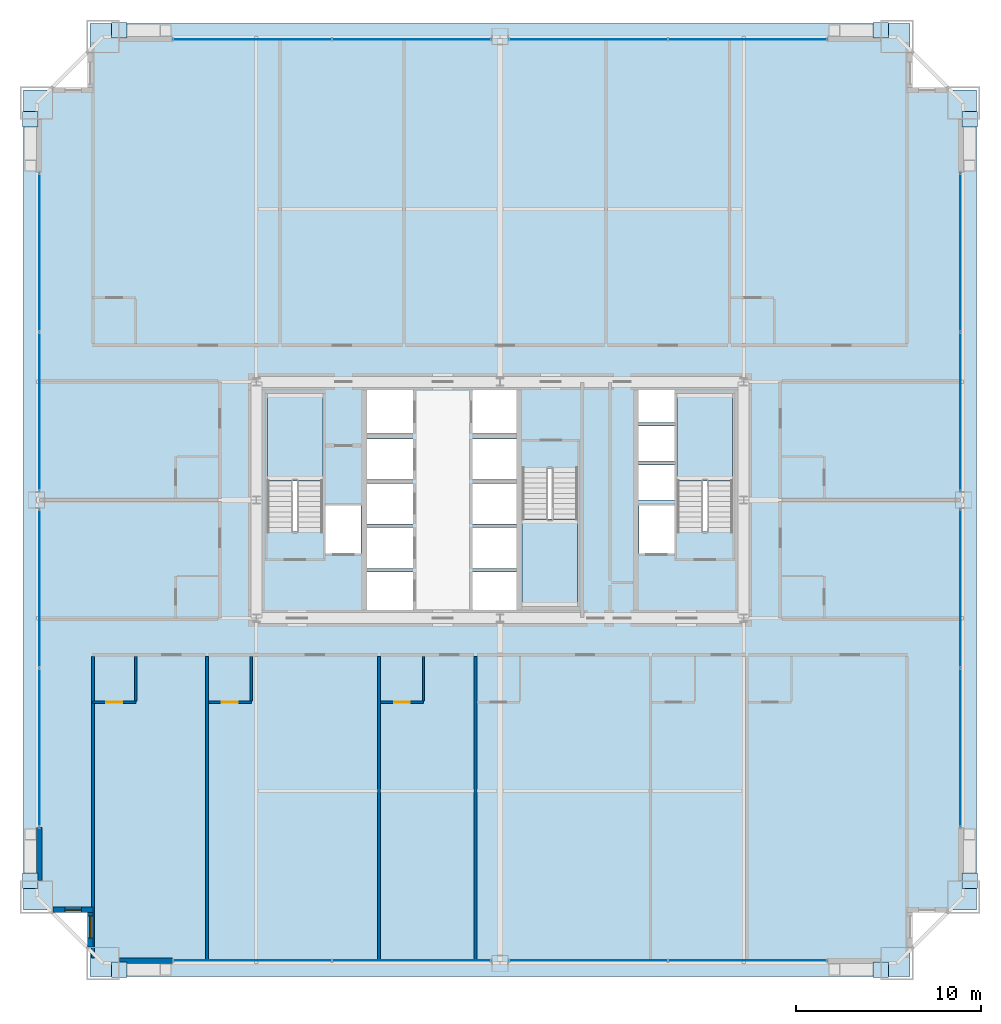
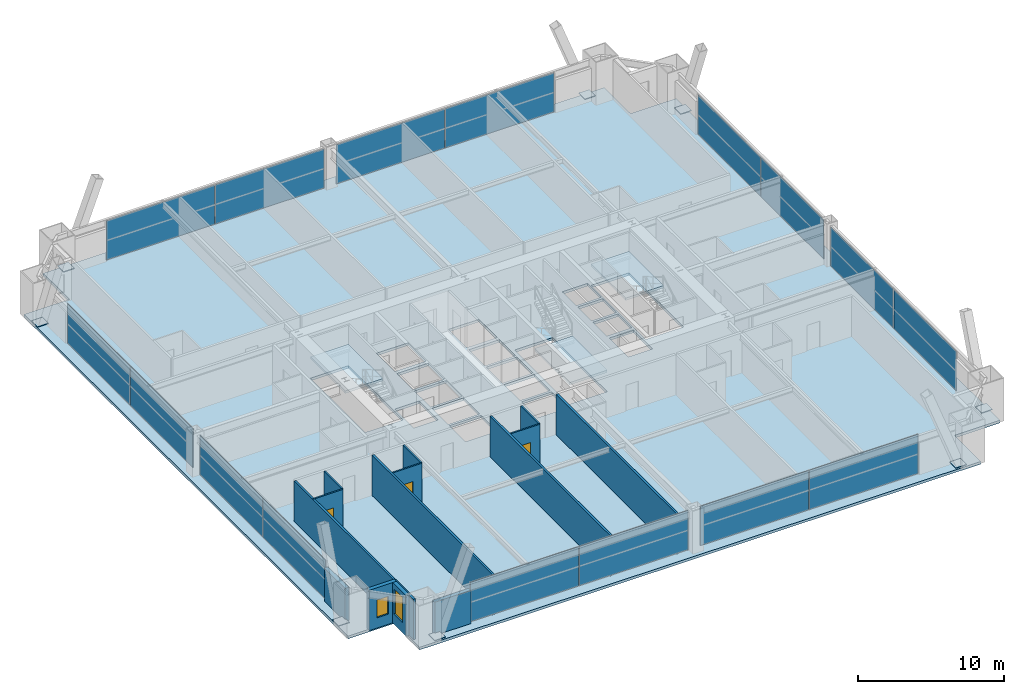
# One storey, part 38 of 43: 24 plates, 14 walls, 4 slabs, 3 doors, 2 windows, 5 openings, 11 elements without a shape of their own.
"""IFC4 building model written with IfcOpenShell, lengths in metres."""

from ifc_helpers import new_model, si_unit, direction, frame, frame_2d, origin, origin_2d, place, context, subcontext, project, spatial, polyline, rectangle, outline, extrude, source, transform, mapped, material, layer, layer_set, type_object, element, fill, aggregate, save


model = new_model("IFC4")

# Units and contexts
model_context = context("Model", 3, precision=1e-05, world=origin(), true_north=direction((0.0, 1.0)))
body_context = subcontext(model_context, "Body", "Model", "MODEL_VIEW")
ifc_project = project(units=[si_unit("LENGTHUNIT", "METRE"), si_unit("AREAUNIT", "SQUARE_METRE"), si_unit("VOLUMEUNIT", "CUBIC_METRE"), si_unit("PLANEANGLEUNIT", "RADIAN"), si_unit("MASSUNIT", "GRAM", prefix="KILO"), si_unit("THERMODYNAMICTEMPERATUREUNIT", "KELVIN"), si_unit("POWERUNIT", "WATT")], contexts=[model_context])

# Site, building, storey
site_placement = place(None, origin())
site = spatial("IfcSite", under=ifc_project, at=site_placement, CompositionType="ELEMENT")
building_placement = place(site_placement, origin())
building = spatial("IfcBuilding", under=site, at=building_placement, Name="Yuzanri Waterfront Tower", CompositionType="ELEMENT")
storey_placement = place(building_placement, frame((0.0, 0.0, 60.39990234375)))
storey = spatial("IfcBuildingStorey", under=building, at=storey_placement, Name="L15", CompositionType="ELEMENT", Elevation=60.39990234375)

# Stair, slab
ifc_material_1 = material(Name="Concrete C40", Category="concrete")
stair_type = type_object("IfcStairType", Name="Concrete C40 Core Dogleg Exit Stair", PredefinedType="HALF_TURN_STAIR", material=ifc_material_1)
stair_1_placement = place(storey_placement, origin())
stair_1 = element("IfcStair", 1, at=stair_1_placement, inside=storey, type_object=stair_type, Name="L15 Smoke-Proof Core Stair ST-01", PredefinedType="HALF_TURN_STAIR")
ifc_material_2 = material(Name="Concrete C40", Category="concrete")
ifc_layer_1 = layer(ifc_material_2, 0.179931640625)
ifc_layer_set_1 = layer_set([ifc_layer_1], Name="Concrete C40")
slab_type_1 = type_object("IfcSlabType", Name="Concrete C40 Stair Half-Landing Slab 180", PredefinedType="LANDING", material=ifc_layer_set_1)
slab_1_placement = place(storey_placement, frame((0.0, 0.0, 1.60009765625)))
slab_1 = element("IfcSlab", 2, at=slab_1_placement, type_object=slab_type_1, Name="ST-01 landing 1", PredefinedType="LANDING", context=body_context, shape_type="SweptSolid", body=[
    extrude(outline(polyline([(27.39990234375, 26.840087890625), (27.39990234375, 31.580078125), (24.39990234375, 31.580078125), (24.39990234375, 26.840087890625), (27.39990234375, 26.840087890625)])), origin(), (0.0, 0.0, 1.0), 0.199951171875),
])
aggregate(stair_1, [slab_1])

stair_2_placement = place(storey_placement, origin())
stair_2 = element("IfcStair", 3, at=stair_2_placement, inside=storey, type_object=stair_type, Name="L15 Smoke-Proof Core Stair ST-02", PredefinedType="HALF_TURN_STAIR")
slab_2_placement = place(storey_placement, frame((0.0, 0.0, 1.60009765625)))
slab_2 = element("IfcSlab", 4, at=slab_2_placement, type_object=slab_type_1, Name="ST-02 landing 1", PredefinedType="LANDING", context=body_context, shape_type="SweptSolid", body=[
    extrude(outline(polyline([(49.60009765625, 26.840087890625), (49.60009765625, 31.580078125), (46.60009765625, 31.580078125), (46.60009765625, 26.840087890625), (49.60009765625, 26.840087890625)])), origin(), (0.0, 0.0, 1.0), 0.199951171875),
])
aggregate(stair_2, [slab_2])

stair_3_placement = place(storey_placement, origin())
stair_3 = element("IfcStair", 5, at=stair_3_placement, inside=storey, type_object=stair_type, Name="L15 Smoke-Proof Core Stair ST-03", PredefinedType="HALF_TURN_STAIR")
slab_3_placement = place(storey_placement, frame((0.0, 0.0, 1.60009765625)))
slab_3 = element("IfcSlab", 6, at=slab_3_placement, type_object=slab_type_1, Name="ST-03 landing 1", PredefinedType="LANDING", context=body_context, shape_type="SweptSolid", body=[
    extrude(outline(polyline([(38.199951171875, 24.760009765625), (38.199951171875, 20.02001953125), (41.199951171875, 20.02001953125), (41.199951171875, 24.760009765625), (38.199951171875, 24.760009765625)])), origin(), (0.0, 0.0, 1.0), 0.199951171875),
])
aggregate(stair_3, [slab_3])

# Slab
ifc_material_3 = material(Name="Concrete C40", Category="concrete")
ifc_layer_2 = layer(ifc_material_3, 0.219970703125)
ifc_layer_set_2 = layer_set([ifc_layer_2], Name="Concrete C40")
slab_type_2 = type_object("IfcSlabType", Name="Concrete C40 Tower Typical Structural Floor Slab 220", PredefinedType="FLOOR", material=ifc_layer_set_2)
slab_4_placement = place(storey_placement, frame((0.0, 0.0, -0.219970703125)))
element("IfcSlab", 7, at=slab_4_placement, inside=storey, type_object=slab_type_2, Name="L15 Main Structural Floor Slab", PredefinedType="FLOOR", context=body_context, shape_type="SweptSolid", body=[
    extrude(outline(polyline([(14.800048828125, 0.0), (59.199951171875, 0.0), (59.199951171875, 3.60009765625), (62.800048828125, 3.60009765625), (62.800048828125, 48.0), (59.199951171875, 48.0), (59.199951171875, 51.60009765625), (14.800048828125, 51.60009765625), (14.800048828125, 48.0), (11.199951171875, 48.0), (11.199951171875, 3.60009765625), (14.800048828125, 3.60009765625), (14.800048828125, 0.0)]), holes=[polyline([(27.39990234375, 24.10009765625), (27.39990234375, 31.580078125), (24.39990234375, 31.580078125), (24.39990234375, 24.10009765625), (27.39990234375, 24.10009765625)]), polyline([(49.60009765625, 24.10009765625), (49.60009765625, 31.580078125), (46.60009765625, 31.580078125), (46.60009765625, 24.10009765625), (49.60009765625, 24.10009765625)]), polyline([(38.199951171875, 27.5), (38.199951171875, 20.02001953125), (41.199951171875, 20.02001953125), (41.199951171875, 27.5), (38.199951171875, 27.5)]), polyline([(27.56005859375, 22.89990234375), (29.47998046875, 22.89990234375), (29.47998046875, 25.5), (27.56005859375, 25.5), (27.56005859375, 22.89990234375)]), polyline([(44.52001953125, 22.89990234375), (46.43994140625, 22.89990234375), (46.43994140625, 25.5), (44.52001953125, 25.5), (44.52001953125, 22.89990234375)]), polyline([(29.800048828125, 19.699951171875), (32.300048828125, 19.699951171875), (32.300048828125, 21.89990234375), (29.800048828125, 21.89990234375), (29.800048828125, 19.699951171875)]), polyline([(29.800048828125, 22.10009765625), (32.300048828125, 22.10009765625), (32.300048828125, 24.300048828125), (29.800048828125, 24.300048828125), (29.800048828125, 22.10009765625)]), polyline([(29.800048828125, 24.5), (32.300048828125, 24.5), (32.300048828125, 26.699951171875), (29.800048828125, 26.699951171875), (29.800048828125, 24.5)]), polyline([(29.800048828125, 26.89990234375), (32.300048828125, 26.89990234375), (32.300048828125, 29.10009765625), (29.800048828125, 29.10009765625), (29.800048828125, 26.89990234375)]), polyline([(29.800048828125, 29.39990234375), (32.300048828125, 29.39990234375), (32.300048828125, 31.89990234375), (29.800048828125, 31.89990234375), (29.800048828125, 29.39990234375)]), polyline([(35.5, 19.699951171875), (37.89990234375, 19.699951171875), (37.89990234375, 21.89990234375), (35.5, 21.89990234375), (35.5, 19.699951171875)]), polyline([(35.5, 22.10009765625), (37.89990234375, 22.10009765625), (37.89990234375, 24.300048828125), (35.5, 24.300048828125), (35.5, 22.10009765625)]), polyline([(35.5, 24.5), (37.89990234375, 24.5), (37.89990234375, 26.699951171875), (35.5, 26.699951171875), (35.5, 24.5)]), polyline([(35.5, 26.89990234375), (37.89990234375, 26.89990234375), (37.89990234375, 29.10009765625), (35.5, 29.10009765625), (35.5, 26.89990234375)]), polyline([(35.5, 29.39990234375), (37.89990234375, 29.39990234375), (37.89990234375, 31.89990234375), (35.5, 31.89990234375), (35.5, 29.39990234375)]), polyline([(44.5, 25.800048828125), (46.5, 25.800048828125), (46.5, 27.699951171875), (44.5, 27.699951171875), (44.5, 25.800048828125)]), polyline([(44.5, 27.89990234375), (46.5, 27.89990234375), (46.5, 29.800048828125), (44.5, 29.800048828125), (44.5, 27.89990234375)]), polyline([(44.5, 30.0), (46.5, 30.0), (46.5, 31.89990234375), (44.5, 31.89990234375), (44.5, 30.0)])]), origin(), (0.0, 0.0, 1.0), 0.219970703125),
])

# Plates
ifc_material_4 = material(Name="Steel Q420GJC", Category="steel")
ifc_layer_3 = layer(ifc_material_4, 0.0400390625)
ifc_layer_set_3 = layer_set([ifc_layer_3], Name="Steel Q420GJC")
plate_type_1 = type_object("IfcPlateType", Name="Steel Q420GJC Mega-Brace Gusset and End-Cap Plate 40", PredefinedType="SHEET", material=ifc_layer_set_3)
shared_shape_1 = source(origin(), body_context, "Body", "SweptSolid", [
    extrude(rectangle(XDim=0.85009765625, YDim=0.85009765625, at=origin_2d()), origin(), (0.0, 0.0, 1.0), 0.0400390625),
])
for number, where, z_axis, x_axis, name in (
    (8, (16.3798828125, 0.360107421875, 0.16015625), (0.0, 0.0, 1.0), (1.0, 0.0, 0.0), "L15 Mega-Brace Foot Cap Plate S-L"),
    (9, (57.6201171875, 0.360107421875, 0.16015625), (0.0, 0.0, 1.0), (1.0, 0.0, 0.0), "L15 Mega-Brace Foot Cap Plate S-R"),
    (10, (16.3798828125, 51.239990234375, 0.16015625), (0.0, 0.0, 1.0), (1.0, 0.0, 0.0), "L15 Mega-Brace Foot Cap Plate N-L"),
    (11, (57.6201171875, 51.239990234375, 0.16015625), (0.0, 0.0, 1.0), (1.0, 0.0, 0.0), "L15 Mega-Brace Foot Cap Plate N-R"),
    (12, (11.56005859375, 5.179931640625, 0.16015625), (0.0, 0.0, 1.0), (1.0, 0.0, 0.0), "L15 Mega-Brace Foot Cap Plate W-L"),
    (13, (11.56005859375, 46.419921875, 0.16015625), (0.0, 0.0, 1.0), (1.0, 0.0, 0.0), "L15 Mega-Brace Foot Cap Plate W-R"),
    (14, (62.43994140625, 5.179931640625, 0.16015625), (0.0, 0.0, 1.0), (1.0, 0.0, 0.0), "L15 Mega-Brace Foot Cap Plate E-L"),
    (15, (62.43994140625, 46.419921875, 0.16015625), (0.0, 0.0, 1.0), (1.0, 0.0, 0.0), "L15 Mega-Brace Foot Cap Plate E-R"),
):
    element("IfcPlate", number, at=place(storey_placement, frame(where, z_axis=z_axis, x_axis=x_axis)), inside=storey, type_object=plate_type_1, Name=name, PredefinedType="SHEET", context=body_context, shape_type="MappedRepresentation", body=[
        mapped(shared_shape_1, transform((0.0, 0.0, 0.0), scale=1.0)),
    ])

# Curtain wall, plates
ifc_material_5 = material(Name="Anodized Architectural Bronze", Category="metal")
ifc_layer_4 = layer(ifc_material_5, 0.159912109375)
ifc_layer_set_4 = layer_set([ifc_layer_4], Name="Anodized Architectural Bronze")
curtain_wall_type = type_object("IfcCurtainWallType", Name="Anodized Bronze Hotel Lower-Tier Recessed Unitized Curtain Wall 8100", PredefinedType="NOTDEFINED", material=ifc_layer_set_4)
curtain_wall_1_placement = place(storey_placement, origin())
curtain_wall_1 = element("IfcCurtainWall", 16, at=curtain_wall_1_placement, inside=storey, type_object=curtain_wall_type, Name="L15 Curtain Wall CW-L15-SL", PredefinedType="NOTDEFINED")
ifc_material_6 = material(Name="Double-Silver Low-E Insulated Glass", Category="glass")
ifc_layer_5 = layer(ifc_material_6, 0.035888671875)
ifc_layer_set_5 = layer_set([ifc_layer_5], Name="Double-Silver Low-E Insulated Glass")
plate_type_2 = type_object("IfcPlateType", Name="Double Silver Low-E Insulated Vision Glass Panel 36", PredefinedType="CURTAIN_PANEL", material=ifc_layer_set_5)
shared_shape_2 = source(origin(), body_context, "Body", "SweptSolid", [
    extrude(rectangle(XDim=8.570068359375, YDim=0.035888671875, at=origin_2d()), origin(), (0.0, 0.0, 1.0), 3.280029296875),
])
plate_1_placement = place(storey_placement, frame((23.574951171875, 0.85009765625, 0.05029296875), z_axis=(0.0, 0.0, 1.0), x_axis=(1.0, 0.0, 0.0)))
plate_1 = element("IfcPlate", 17, at=plate_1_placement, type_object=plate_type_2, Name="CW-L15-SL Vision Glass Panel 01", PredefinedType="CURTAIN_PANEL", context=body_context, shape_type="MappedRepresentation", body=[
    mapped(shared_shape_2, transform((0.0, 0.0, 0.0), scale=1.0)),
])
plate_2_placement = place(storey_placement, frame((32.22509765625, 0.85009765625, 0.05029296875), z_axis=(0.0, 0.0, 1.0), x_axis=(1.0, 0.0, 0.0)))
plate_2 = element("IfcPlate", 18, at=plate_2_placement, type_object=plate_type_2, Name="CW-L15-SL Vision Glass Panel 02", PredefinedType="CURTAIN_PANEL", context=body_context, shape_type="MappedRepresentation", body=[
    mapped(shared_shape_2, transform((0.0, 0.0, 0.0), scale=1.0)),
])
aggregate(curtain_wall_1, [plate_1, plate_2])

curtain_wall_2_placement = place(storey_placement, origin())
curtain_wall_2 = element("IfcCurtainWall", 19, at=curtain_wall_2_placement, inside=storey, type_object=curtain_wall_type, Name="L15 Curtain Wall CW-L15-SR", PredefinedType="NOTDEFINED")
plate_3_placement = place(storey_placement, frame((41.77490234375, 0.85009765625, 0.05029296875), z_axis=(0.0, 0.0, 1.0), x_axis=(1.0, 0.0, 0.0)))
plate_3 = element("IfcPlate", 20, at=plate_3_placement, type_object=plate_type_2, Name="CW-L15-SR Vision Glass Panel 01", PredefinedType="CURTAIN_PANEL", context=body_context, shape_type="MappedRepresentation", body=[
    mapped(shared_shape_2, transform((0.0, 0.0, 0.0), scale=1.0)),
])
plate_4_placement = place(storey_placement, frame((50.425048828125, 0.85009765625, 0.05029296875), z_axis=(0.0, 0.0, 1.0), x_axis=(1.0, 0.0, 0.0)))
plate_4 = element("IfcPlate", 21, at=plate_4_placement, type_object=plate_type_2, Name="CW-L15-SR Vision Glass Panel 02", PredefinedType="CURTAIN_PANEL", context=body_context, shape_type="MappedRepresentation", body=[
    mapped(shared_shape_2, transform((0.0, 0.0, 0.0), scale=1.0)),
])
aggregate(curtain_wall_2, [plate_3, plate_4])

curtain_wall_3_placement = place(storey_placement, origin())
curtain_wall_3 = element("IfcCurtainWall", 22, at=curtain_wall_3_placement, inside=storey, type_object=curtain_wall_type, Name="L15 Curtain Wall CW-L15-NL", PredefinedType="NOTDEFINED")
plate_5_placement = place(storey_placement, frame((23.574951171875, 50.75, 0.05029296875), z_axis=(0.0, 0.0, 1.0), x_axis=(1.0, 0.0, 0.0)))
plate_5 = element("IfcPlate", 23, at=plate_5_placement, type_object=plate_type_2, Name="CW-L15-NL Vision Glass Panel 01", PredefinedType="CURTAIN_PANEL", context=body_context, shape_type="MappedRepresentation", body=[
    mapped(shared_shape_2, transform((0.0, 0.0, 0.0), scale=1.0)),
])
plate_6_placement = place(storey_placement, frame((32.22509765625, 50.75, 0.05029296875), z_axis=(0.0, 0.0, 1.0), x_axis=(1.0, 0.0, 0.0)))
plate_6 = element("IfcPlate", 24, at=plate_6_placement, type_object=plate_type_2, Name="CW-L15-NL Vision Glass Panel 02", PredefinedType="CURTAIN_PANEL", context=body_context, shape_type="MappedRepresentation", body=[
    mapped(shared_shape_2, transform((0.0, 0.0, 0.0), scale=1.0)),
])
aggregate(curtain_wall_3, [plate_5, plate_6])

curtain_wall_4_placement = place(storey_placement, origin())
curtain_wall_4 = element("IfcCurtainWall", 25, at=curtain_wall_4_placement, inside=storey, type_object=curtain_wall_type, Name="L15 Curtain Wall CW-L15-NR", PredefinedType="NOTDEFINED")
plate_7_placement = place(storey_placement, frame((41.77490234375, 50.75, 0.05029296875), z_axis=(0.0, 0.0, 1.0), x_axis=(1.0, 0.0, 0.0)))
plate_7 = element("IfcPlate", 26, at=plate_7_placement, type_object=plate_type_2, Name="CW-L15-NR Vision Glass Panel 01", PredefinedType="CURTAIN_PANEL", context=body_context, shape_type="MappedRepresentation", body=[
    mapped(shared_shape_2, transform((0.0, 0.0, 0.0), scale=1.0)),
])
plate_8_placement = place(storey_placement, frame((50.425048828125, 50.75, 0.05029296875), z_axis=(0.0, 0.0, 1.0), x_axis=(1.0, 0.0, 0.0)))
plate_8 = element("IfcPlate", 27, at=plate_8_placement, type_object=plate_type_2, Name="CW-L15-NR Vision Glass Panel 02", PredefinedType="CURTAIN_PANEL", context=body_context, shape_type="MappedRepresentation", body=[
    mapped(shared_shape_2, transform((0.0, 0.0, 0.0), scale=1.0)),
])
aggregate(curtain_wall_4, [plate_7, plate_8])

curtain_wall_5_placement = place(storey_placement, origin())
curtain_wall_5 = element("IfcCurtainWall", 28, at=curtain_wall_5_placement, inside=storey, type_object=curtain_wall_type, Name="L15 Curtain Wall CW-L15-WL", PredefinedType="NOTDEFINED")
plate_9_placement = place(storey_placement, frame((12.050048828125, 12.375, 0.05029296875), z_axis=(0.0, 0.0, 1.0), x_axis=(0.0, 1.0, 0.0)))
plate_9 = element("IfcPlate", 29, at=plate_9_placement, type_object=plate_type_2, Name="CW-L15-WL Vision Glass Panel 01", PredefinedType="CURTAIN_PANEL", context=body_context, shape_type="MappedRepresentation", body=[
    mapped(shared_shape_2, transform((0.0, 0.0, 0.0), scale=1.0)),
])
plate_10_placement = place(storey_placement, frame((12.050048828125, 21.02490234375, 0.05029296875), z_axis=(0.0, 0.0, 1.0), x_axis=(0.0, 1.0, 0.0)))
plate_10 = element("IfcPlate", 30, at=plate_10_placement, type_object=plate_type_2, Name="CW-L15-WL Vision Glass Panel 02", PredefinedType="CURTAIN_PANEL", context=body_context, shape_type="MappedRepresentation", body=[
    mapped(shared_shape_2, transform((0.0, 0.0, 0.0), scale=1.0)),
])
aggregate(curtain_wall_5, [plate_9, plate_10])

curtain_wall_6_placement = place(storey_placement, origin())
curtain_wall_6 = element("IfcCurtainWall", 31, at=curtain_wall_6_placement, inside=storey, type_object=curtain_wall_type, Name="L15 Curtain Wall CW-L15-WR", PredefinedType="NOTDEFINED")
plate_11_placement = place(storey_placement, frame((12.050048828125, 30.574951171875, 0.05029296875), z_axis=(0.0, 0.0, 1.0), x_axis=(0.0, 1.0, 0.0)))
plate_11 = element("IfcPlate", 32, at=plate_11_placement, type_object=plate_type_2, Name="CW-L15-WR Vision Glass Panel 01", PredefinedType="CURTAIN_PANEL", context=body_context, shape_type="MappedRepresentation", body=[
    mapped(shared_shape_2, transform((0.0, 0.0, 0.0), scale=1.0)),
])
plate_12_placement = place(storey_placement, frame((12.050048828125, 39.22509765625, 0.05029296875), z_axis=(0.0, 0.0, 1.0), x_axis=(0.0, 1.0, 0.0)))
plate_12 = element("IfcPlate", 33, at=plate_12_placement, type_object=plate_type_2, Name="CW-L15-WR Vision Glass Panel 02", PredefinedType="CURTAIN_PANEL", context=body_context, shape_type="MappedRepresentation", body=[
    mapped(shared_shape_2, transform((0.0, 0.0, 0.0), scale=1.0)),
])
aggregate(curtain_wall_6, [plate_11, plate_12])

curtain_wall_7_placement = place(storey_placement, origin())
curtain_wall_7 = element("IfcCurtainWall", 34, at=curtain_wall_7_placement, inside=storey, type_object=curtain_wall_type, Name="L15 Curtain Wall CW-L15-EL", PredefinedType="NOTDEFINED")
plate_13_placement = place(storey_placement, frame((61.949951171875, 12.375, 0.05029296875), z_axis=(0.0, 0.0, 1.0), x_axis=(0.0, 1.0, 0.0)))
plate_13 = element("IfcPlate", 35, at=plate_13_placement, type_object=plate_type_2, Name="CW-L15-EL Vision Glass Panel 01", PredefinedType="CURTAIN_PANEL", context=body_context, shape_type="MappedRepresentation", body=[
    mapped(shared_shape_2, transform((0.0, 0.0, 0.0), scale=1.0)),
])
plate_14_placement = place(storey_placement, frame((61.949951171875, 21.02490234375, 0.05029296875), z_axis=(0.0, 0.0, 1.0), x_axis=(0.0, 1.0, 0.0)))
plate_14 = element("IfcPlate", 36, at=plate_14_placement, type_object=plate_type_2, Name="CW-L15-EL Vision Glass Panel 02", PredefinedType="CURTAIN_PANEL", context=body_context, shape_type="MappedRepresentation", body=[
    mapped(shared_shape_2, transform((0.0, 0.0, 0.0), scale=1.0)),
])
aggregate(curtain_wall_7, [plate_13, plate_14])

curtain_wall_8_placement = place(storey_placement, origin())
curtain_wall_8 = element("IfcCurtainWall", 37, at=curtain_wall_8_placement, inside=storey, type_object=curtain_wall_type, Name="L15 Curtain Wall CW-L15-ER", PredefinedType="NOTDEFINED")
plate_15_placement = place(storey_placement, frame((61.949951171875, 30.574951171875, 0.05029296875), z_axis=(0.0, 0.0, 1.0), x_axis=(0.0, 1.0, 0.0)))
plate_15 = element("IfcPlate", 38, at=plate_15_placement, type_object=plate_type_2, Name="CW-L15-ER Vision Glass Panel 01", PredefinedType="CURTAIN_PANEL", context=body_context, shape_type="MappedRepresentation", body=[
    mapped(shared_shape_2, transform((0.0, 0.0, 0.0), scale=1.0)),
])
plate_16_placement = place(storey_placement, frame((61.949951171875, 39.22509765625, 0.05029296875), z_axis=(0.0, 0.0, 1.0), x_axis=(0.0, 1.0, 0.0)))
plate_16 = element("IfcPlate", 39, at=plate_16_placement, type_object=plate_type_2, Name="CW-L15-ER Vision Glass Panel 02", PredefinedType="CURTAIN_PANEL", context=body_context, shape_type="MappedRepresentation", body=[
    mapped(shared_shape_2, transform((0.0, 0.0, 0.0), scale=1.0)),
])
aggregate(curtain_wall_8, [plate_15, plate_16])

# Wall, opening, door
ifc_material_7 = material(Name="Moisture-Resistant Gypsum Stud Wall", Category="gypsum")
ifc_layer_6 = layer(ifc_material_7, 0.1201171875)
ifc_layer_set_6 = layer_set([ifc_layer_6], Name="Moisture-Resistant Gypsum Stud Wall")
wall_type_1 = type_object("IfcWallType", Name="Bathroom and Kitchen Wet Partition 120", PredefinedType="PARTITIONING", material=ifc_layer_set_6)
wall_1_placement = place(storey_placement, frame((14.93994140625, 14.840087890625, 0.0), z_axis=(0.0, 0.0, 1.0), x_axis=(1.0, 0.0, 0.0)))
wall_1 = element("IfcWall", 40, at=wall_1_placement, inside=storey, type_object=wall_type_1, Name="L15 Partition UW-L15-S1-BS", PredefinedType="PARTITIONING", context=body_context, shape_type="SweptSolid", body=[
    extrude(rectangle(XDim=2.330078125, YDim=0.1201171875, at=frame_2d((1.1650390625, 0.0))), origin(), (0.0, 0.0, 1.0), 3.380126953125),
])
opening_1_placement = place(wall_1_placement, frame((0.739990234375, 0.0, 0.0)))
opening_1 = element("IfcOpeningElement", 41, at=opening_1_placement, cuts=wall_1, Name="Opening ID-0850", PredefinedType="OPENING", context=body_context, shape_type="SweptSolid", body=[
    extrude(rectangle(XDim=0.85009765625, YDim=2.10009765625, at=frame_2d((0.425048828125, 1.050048828125))), frame((0.0, 0.074951171875, 0.0), z_axis=(0.0, -1.0, 0.0), x_axis=(1.0, 0.0, 0.0)), (0.0, 0.0, 1.0), 0.14990234375),
])
ifc_material_8 = material(Name="Moisture-Resistant Lacquered Timber", Category="wood")
door_type = type_object("IfcDoorType", Name="En-Suite Bathroom and Kitchen Swing Door 850x2100", OperationType="NOTDEFINED", PredefinedType="DOOR", material=ifc_material_8)
shared_shape_3 = source(origin(), body_context, "Body", "SweptSolid", [
    extrude(rectangle(XDim=0.85009765625, YDim=2.10009765625, at=frame_2d((0.425048828125, 1.050048828125))), frame((0.0, 0.02490234375, 0.0), z_axis=(0.0, -1.0, 0.0), x_axis=(1.0, 0.0, 0.0)), (0.0, 0.0, 1.0), 0.050048828125),
])
door_1_placement = place(opening_1_placement, origin())
door_1 = element("IfcDoor", 42, at=door_1_placement, inside=storey, type_object=door_type, Name="L15 Guest En-Suite Door", OperationType="SINGLE_SWING_RIGHT", OverallHeight=2.10009765625, OverallWidth=0.85009765625, PredefinedType="DOOR", context=body_context, shape_type="MappedRepresentation", body=[
    mapped(shared_shape_3, transform((0.0, 0.0, 0.0), scale=1.0)),
])
fill(opening_1, door_1)

wall_2_placement = place(storey_placement, frame((21.197021484375, 14.840087890625, 0.0), z_axis=(0.0, 0.0, 1.0), x_axis=(1.0, 0.0, 0.0)))
wall_2 = element("IfcWall", 43, at=wall_2_placement, inside=storey, type_object=wall_type_1, Name="L15 Partition UW-L15-S2-BS", PredefinedType="PARTITIONING", context=body_context, shape_type="SweptSolid", body=[
    extrude(rectangle(XDim=2.330078125, YDim=0.1201171875, at=frame_2d((1.1650390625, 0.0))), origin(), (0.0, 0.0, 1.0), 3.380126953125),
])
opening_2_placement = place(wall_2_placement, frame((0.739990234375, 0.0, 0.0)))
opening_2 = element("IfcOpeningElement", 44, at=opening_2_placement, cuts=wall_2, Name="Opening ID-0850", PredefinedType="OPENING", context=body_context, shape_type="SweptSolid", body=[
    extrude(rectangle(XDim=0.85009765625, YDim=2.10009765625, at=frame_2d((0.425048828125, 1.050048828125))), frame((0.0, 0.074951171875, 0.0), z_axis=(0.0, -1.0, 0.0), x_axis=(1.0, 0.0, 0.0)), (0.0, 0.0, 1.0), 0.14990234375),
])
door_2_placement = place(opening_2_placement, origin())
door_2 = element("IfcDoor", 45, at=door_2_placement, inside=storey, type_object=door_type, Name="L15 Guest En-Suite Door", OperationType="SINGLE_SWING_RIGHT", OverallHeight=2.10009765625, OverallWidth=0.85009765625, PredefinedType="DOOR", context=body_context, shape_type="MappedRepresentation", body=[
    mapped(shared_shape_3, transform((0.0, 0.0, 0.0), scale=1.0)),
])
fill(opening_2, door_2)

wall_3_placement = place(storey_placement, frame((30.52099609375, 14.840087890625, 0.0), z_axis=(0.0, 0.0, 1.0), x_axis=(1.0, 0.0, 0.0)))
wall_3 = element("IfcWall", 46, at=wall_3_placement, inside=storey, type_object=wall_type_1, Name="L15 Partition UW-L15-S3-BS", PredefinedType="PARTITIONING", context=body_context, shape_type="SweptSolid", body=[
    extrude(rectangle(XDim=2.330078125, YDim=0.1201171875, at=frame_2d((1.1650390625, 0.0))), origin(), (0.0, 0.0, 1.0), 3.380126953125),
])
opening_3_placement = place(wall_3_placement, frame((0.739990234375, 0.0, 0.0)))
opening_3 = element("IfcOpeningElement", 47, at=opening_3_placement, cuts=wall_3, Name="Opening ID-0850", PredefinedType="OPENING", context=body_context, shape_type="SweptSolid", body=[
    extrude(rectangle(XDim=0.85009765625, YDim=2.10009765625, at=frame_2d((0.425048828125, 1.050048828125))), frame((0.0, 0.074951171875, 0.0), z_axis=(0.0, -1.0, 0.0), x_axis=(1.0, 0.0, 0.0)), (0.0, 0.0, 1.0), 0.14990234375),
])
door_3_placement = place(opening_3_placement, origin())
door_3 = element("IfcDoor", 48, at=door_3_placement, inside=storey, type_object=door_type, Name="L15 Guest En-Suite Door", OperationType="SINGLE_SWING_RIGHT", OverallHeight=2.10009765625, OverallWidth=0.85009765625, PredefinedType="DOOR", context=body_context, shape_type="MappedRepresentation", body=[
    mapped(shared_shape_3, transform((0.0, 0.0, 0.0), scale=1.0)),
])
fill(opening_3, door_3)

# Wall, opening, window
ifc_material_9 = material(Name="Honed Chongqing Dark Basalt Stone", Category="masonry")
ifc_layer_7 = layer(ifc_material_9, 0.300048828125)
ifc_layer_set_7 = layer_set([ifc_layer_7], Name="Honed Chongqing Dark Basalt Stone")
wall_type_2 = type_object("IfcWallType", Name="Bronze Rainscreen Insulated Spandrel Portal Wall 300", PredefinedType="SOLIDWALL", material=ifc_layer_set_7)
wall_4_placement = place(storey_placement, frame((12.800048828125, 3.60009765625, 0.0), z_axis=(0.0, 0.0, 1.0), x_axis=(1.0, 0.0, 0.0)))
wall_4 = element("IfcWall", 49, at=wall_4_placement, inside=storey, type_object=wall_type_2, Name="L15 Notched Corner Masonry Wall SW-X", PredefinedType="SOLIDWALL", context=body_context, shape_type="SweptSolid", body=[
    extrude(rectangle(XDim=2.14990234375, YDim=0.300048828125, at=frame_2d((1.074951171875, 0.0))), origin(), (0.0, 0.0, 1.0), 3.380126953125),
])
opening_4_placement = place(wall_4_placement, frame((0.625, 0.0, 0.85009765625)))
opening_4 = element("IfcOpeningElement", 50, at=opening_4_placement, cuts=wall_4, Name="Opening WN-05", PredefinedType="OPENING", context=body_context, shape_type="SweptSolid", body=[
    extrude(rectangle(XDim=0.89990234375, YDim=1.5, at=frame_2d((0.449951171875, 0.75))), frame((0.0, 0.1650390625, 0.0), z_axis=(0.0, -1.0, 0.0), x_axis=(1.0, 0.0, 0.0)), (0.0, 0.0, 1.0), 0.329833984375),
])
ifc_material_10 = material(Name="Double-Silver Low-E Insulated Glass", Category="glass")
window_type_1 = type_object("IfcWindowType", Name="Anodized Bronze Service and Stairwell Smoke-Vent Window 900x1500", PartitioningType="SINGLE_PANEL", PredefinedType="WINDOW", material=ifc_material_10)
shared_shape_4 = source(origin(), body_context, "Body", "SweptSolid", [
    extrude(rectangle(XDim=0.89990234375, YDim=1.5, at=frame_2d((0.449951171875, 0.75))), frame((0.0, 0.030029296875, 0.0), z_axis=(0.0, -1.0, 0.0), x_axis=(1.0, 0.0, 0.0)), (0.0, 0.0, 1.0), 0.06005859375),
])
window_1_placement = place(opening_4_placement, origin())
window_1 = element("IfcWindow", 51, at=window_1_placement, inside=storey, type_object=window_type_1, Name="L15 Notched Corner Window SW-X", OverallHeight=1.5, OverallWidth=0.89990234375, PartitioningType="SINGLE_PANEL", PredefinedType="WINDOW", context=body_context, shape_type="MappedRepresentation", body=[
    mapped(shared_shape_4, transform((0.0, 0.0, 0.0), scale=1.0)),
])
fill(opening_4, window_1)

wall_5_placement = place(storey_placement, frame((14.800048828125, 3.75, 0.0), z_axis=(0.0, 0.0, 1.0), x_axis=(0.0, -1.0, 0.0)))
wall_5 = element("IfcWall", 52, at=wall_5_placement, inside=storey, type_object=wall_type_2, Name="L15 Notched Corner Masonry Wall SW-Y", PredefinedType="SOLIDWALL", context=body_context, shape_type="SweptSolid", body=[
    extrude(rectangle(XDim=2.14990234375, YDim=0.300048828125, at=frame_2d((1.074951171875, 0.0))), origin(), (0.0, 0.0, 1.0), 3.380126953125),
])
opening_5_placement = place(wall_5_placement, frame((0.47509765625, 0.0, 0.85009765625)))
opening_5 = element("IfcOpeningElement", 53, at=opening_5_placement, cuts=wall_5, Name="Opening WN-02", PredefinedType="OPENING", context=body_context, shape_type="SweptSolid", body=[
    extrude(rectangle(XDim=1.199951171875, YDim=2.10009765625, at=frame_2d((0.60009765625, 1.050048828125))), frame((0.0, 0.1650390625, 0.0), z_axis=(0.0, -1.0, 0.0), x_axis=(1.0, 0.0, 0.0)), (0.0, 0.0, 1.0), 0.329833984375),
])
ifc_material_11 = material(Name="Double-Silver Low-E Insulated Glass", Category="glass")
window_type_2 = type_object("IfcWindowType", Name="Anodized Bronze Notched Corner Deep-Set Slot Window 1200x2100", PartitioningType="SINGLE_PANEL", PredefinedType="WINDOW", material=ifc_material_11)
shared_shape_5 = source(origin(), body_context, "Body", "SweptSolid", [
    extrude(rectangle(XDim=1.199951171875, YDim=2.10009765625, at=frame_2d((0.60009765625, 1.050048828125))), frame((0.0, 0.030029296875, 0.0), z_axis=(0.0, -1.0, 0.0), x_axis=(1.0, 0.0, 0.0)), (0.0, 0.0, 1.0), 0.06005859375),
])
window_2_placement = place(opening_5_placement, origin())
window_2 = element("IfcWindow", 54, at=window_2_placement, inside=storey, type_object=window_type_2, Name="L15 Notched Corner Window SW-Y", OverallHeight=2.10009765625, OverallWidth=1.199951171875, PartitioningType="SINGLE_PANEL", PredefinedType="WINDOW", context=body_context, shape_type="MappedRepresentation", body=[
    mapped(shared_shape_5, transform((0.0, 0.0, 0.0), scale=1.0)),
])
fill(opening_5, window_2)

# Walls
shared_shape_6 = source(origin(), body_context, "Body", "SweptSolid", [
    extrude(rectangle(XDim=2.85009765625, YDim=0.300048828125, at=frame_2d((1.425048828125, 0.0))), origin(), (0.0, 0.0, 1.0), 2.775146484375),
])
for number, where, z_axis, x_axis, name in (
    (55, (16.39990234375, 0.85009765625, 0.0), (0.0, 0.0, 1.0), (1.0, 0.0, 0.0), "L15 S Left Braced Masonry Shoulder"),
    (56, (12.050048828125, 5.199951171875, 0.0), (0.0, 0.0, 1.0), (0.0, 1.0, 0.0), "L15 W Left Braced Masonry Shoulder"),
):
    element("IfcWall", number, at=place(storey_placement, frame(where, z_axis=z_axis, x_axis=x_axis)), inside=storey, type_object=wall_type_2, Name=name, PredefinedType="SOLIDWALL", context=body_context, shape_type="MappedRepresentation", body=[
        mapped(shared_shape_6, transform((0.0, 0.0, 0.0), scale=1.0)),
    ])
ifc_material_12 = material(Name="Gypsum Fireboard Acoustic Stud Wall", Category="gypsum")
ifc_layer_8 = layer(ifc_material_12, 0.159912109375)
ifc_layer_set_8 = layer_set([ifc_layer_8], Name="Gypsum Fireboard Acoustic Stud Wall")
wall_type_3 = type_object("IfcWallType", Name="Acoustic Suite Demising Partition 160", PredefinedType="PARTITIONING", material=ifc_layer_set_8)
shared_shape_7 = source(origin(), body_context, "Body", "SweptSolid", [
    extrude(rectangle(XDim=16.469970703125, YDim=0.159912109375, at=frame_2d((8.23486328125, 0.0))), origin(), (0.0, 0.0, 1.0), 3.380126953125),
])
for number, where, z_axis, x_axis, name in (
    (57, (21.116943359375, 0.85009765625, 0.0), (0.0, 0.0, 1.0), (0.0, 1.0, 0.0), "L15-S1 Party Wall"),
    (58, (30.44091796875, 0.85009765625, 0.0), (0.0, 0.0, 1.0), (0.0, 1.0, 0.0), "L15-S2 Party Wall"),
    (59, (35.676025390625, 0.85009765625, 0.0), (0.0, 0.0, 1.0), (0.0, 1.0, 0.0), "L15-S3 Party Wall"),
):
    element("IfcWall", number, at=place(storey_placement, frame(where, z_axis=z_axis, x_axis=x_axis)), inside=storey, type_object=wall_type_3, Name=name, PredefinedType="PARTITIONING", context=body_context, shape_type="MappedRepresentation", body=[
        mapped(shared_shape_7, transform((0.0, 0.0, 0.0), scale=1.0)),
    ])
shared_shape_8 = source(origin(), body_context, "Body", "SweptSolid", [
    extrude(rectangle(XDim=2.420166015625, YDim=0.1201171875, at=frame_2d((1.2099609375, 0.0))), origin(), (0.0, 0.0, 1.0), 3.380126953125),
])
for number, where, z_axis, x_axis, name in (
    (60, (17.27001953125, 14.89990234375, 0.0), (0.0, 0.0, 1.0), (0.0, 1.0, 0.0), "L15-S1 En-Suite Side Wall"),
    (61, (23.527099609375, 14.89990234375, 0.0), (0.0, 0.0, 1.0), (0.0, 1.0, 0.0), "L15-S2 En-Suite Side Wall"),
    (62, (32.85107421875, 14.89990234375, 0.0), (0.0, 0.0, 1.0), (0.0, 1.0, 0.0), "L15-S3 En-Suite Side Wall"),
):
    element("IfcWall", number, at=place(storey_placement, frame(where, z_axis=z_axis, x_axis=x_axis)), inside=storey, type_object=wall_type_1, Name=name, PredefinedType="PARTITIONING", context=body_context, shape_type="MappedRepresentation", body=[
        mapped(shared_shape_8, transform((0.0, 0.0, 0.0), scale=1.0)),
    ])
shared_shape_9 = source(origin(), body_context, "Body", "SweptSolid", [
    extrude(rectangle(XDim=16.320068359375, YDim=0.159912109375, at=frame_2d((8.16015625, 0.0))), origin(), (0.0, 0.0, 1.0), 3.380126953125),
])
wall_6_placement = place(storey_placement, frame((14.949951171875, 1.0, 0.0), z_axis=(0.0, 0.0, 1.0), x_axis=(0.0, 1.0, 0.0)))
element("IfcWall", 63, at=wall_6_placement, inside=storey, type_object=wall_type_3, Name="L15 South Band West End Wall", PredefinedType="PARTITIONING", context=body_context, shape_type="MappedRepresentation", body=[
    mapped(shared_shape_9, transform((0.0, 0.0, 0.0), scale=1.0)),
])

save(model, "model.ifc")
